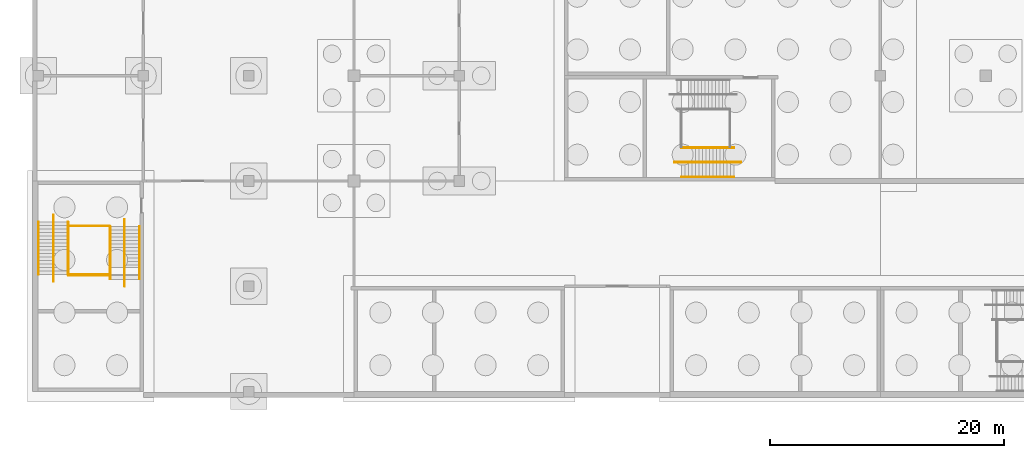
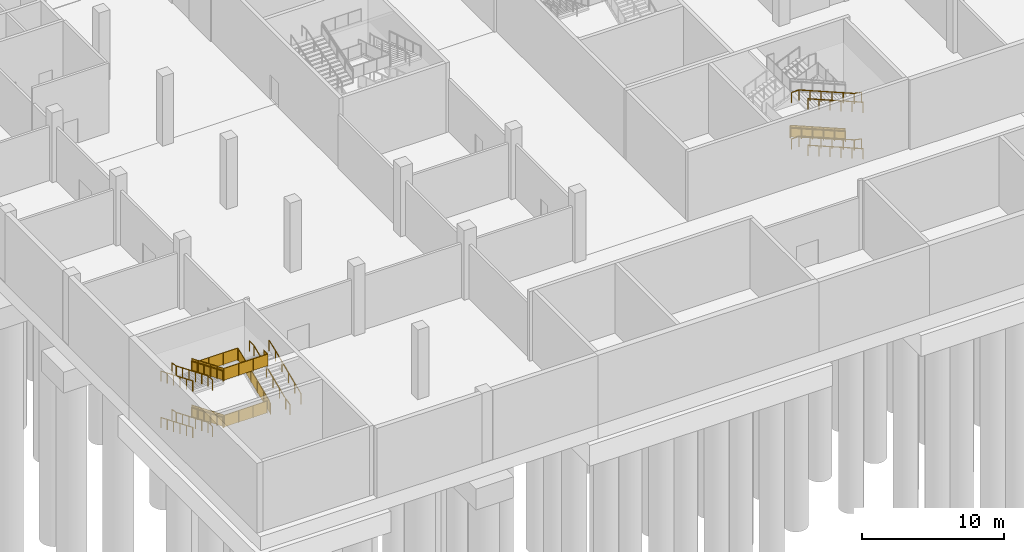
# One storey, part 26 of 42: 21 railings.
"""IFC4 building model written with IfcOpenShell, lengths in metres."""

from ifc_helpers import new_model, si_unit, direction, frame, origin, origin_2d, place, context, subcontext, project, spatial, polyline, circle, outline, extrude, material, type_object, element, save


model = new_model("IFC4")

# Units and contexts
model_context = context("Model", 3, precision=1e-05, world=origin(), true_north=direction((0.0, 1.0)))
body_context = subcontext(model_context, "Body", "Model", "MODEL_VIEW")
ifc_project = project(units=[si_unit("LENGTHUNIT", "METRE"), si_unit("AREAUNIT", "SQUARE_METRE"), si_unit("VOLUMEUNIT", "CUBIC_METRE"), si_unit("PLANEANGLEUNIT", "RADIAN"), si_unit("MASSUNIT", "GRAM", prefix="KILO")], contexts=[model_context])

# Site, building, storey
site_placement = place(None, origin())
site = spatial("IfcSite", under=ifc_project, at=site_placement, CompositionType="ELEMENT")
building_placement = place(site_placement, origin())
building = spatial("IfcBuilding", under=site, at=building_placement, Name="Silverbay Arena", CompositionType="ELEMENT")
storey_placement = place(building_placement, frame((0.0, 0.0, -6.0)))
storey = spatial("IfcBuildingStorey", under=building, at=storey_placement, Name="B1", CompositionType="ELEMENT", Elevation=-6.0)

# Railings
ifc_material_1 = material(Name="Stainless steel", Category="steel")
railing_type_1 = type_object("IfcRailingType", Name="Stair guard 1100", PredefinedType="GUARDRAIL", material=ifc_material_1)
railing_1_placement = place(storey_placement, frame((86.489990234375, 38.875, 0.125)))
element("IfcRailing", 1, at=railing_1_placement, inside=storey, type_object=railing_type_1, Name="Stair ST-SW1 B1 to L00 flight 1 guard left", PredefinedType="GUARDRAIL", context=body_context, shape_type="SweptSolid", body=[
    extrude(circle(Radius=0.02392578125, at=origin_2d()), frame((0.0, 0.0, 1.076171875), z_axis=(-0.923076923077, 0.0, 0.384615384615), x_axis=(0.0, -1.0, 0.0)), (0.0, 0.0, 1.0), 4.875),
    extrude(outline(polyline([(-0.008056640625, 0.046630859375), (0.907958984375, 0.42822265625), (0.907958984375, 1.431396484375), (-0.008056640625, 1.049560546875), (-0.008056640625, 0.046630859375)])), frame((0.0, -0.0029296875, 0.0), z_axis=(0.0, 1.0, 0.0), x_axis=(-1.0, 0.0, 0.0)), (0.0, 0.0, 1.0), 0.006103515625),
    extrude(outline(polyline([(-0.008056640625, 0.421630859375), (0.907958984375, 0.80322265625), (0.907958984375, 1.806396484375), (-0.008056640625, 1.424560546875), (-0.008056640625, 0.421630859375)])), frame((-0.89990234375, -0.0029296875, 0.0), z_axis=(0.0, 1.0, 0.0), x_axis=(-1.0, 0.0, 0.0)), (0.0, 0.0, 1.0), 0.006103515625),
    extrude(outline(polyline([(-0.008056640625, 0.796630859375), (0.907958984375, 1.17822265625), (0.907958984375, 2.181396484375), (-0.008056640625, 1.799560546875), (-0.008056640625, 0.796630859375)])), frame((-1.800048828125, -0.0029296875, 0.0), z_axis=(0.0, 1.0, 0.0), x_axis=(-1.0, 0.0, 0.0)), (0.0, 0.0, 1.0), 0.006103515625),
    extrude(outline(polyline([(-0.008056640625, 1.171630859375), (0.907958984375, 1.55322265625), (0.907958984375, 2.556396484375), (-0.008056640625, 2.174560546875), (-0.008056640625, 1.171630859375)])), frame((-2.699951171875, -0.0029296875, 0.0), z_axis=(0.0, 1.0, 0.0), x_axis=(-1.0, 0.0, 0.0)), (0.0, 0.0, 1.0), 0.006103515625),
    extrude(outline(polyline([(-0.008056640625, 1.546630859375), (0.907958984375, 1.92822265625), (0.907958984375, 2.931396484375), (-0.008056640625, 2.549560546875), (-0.008056640625, 1.546630859375)])), frame((-3.60009765625, -0.0029296875, 0.0), z_axis=(0.0, 1.0, 0.0), x_axis=(-1.0, 0.0, 0.0)), (0.0, 0.0, 1.0), 0.006103515625),
    extrude(circle(Radius=0.02099609375, at=origin_2d()), origin(), (0.0, 0.0, 1.0), 1.052001953125),
    extrude(circle(Radius=0.02099609375, at=origin_2d()), frame((-0.89990234375, 0.0, 0.375)), (0.0, 0.0, 1.0), 1.052001953125),
    extrude(circle(Radius=0.02099609375, at=origin_2d()), frame((-1.800048828125, 0.0, 0.75)), (0.0, 0.0, 1.0), 1.052001953125),
    extrude(circle(Radius=0.02099609375, at=origin_2d()), frame((-2.699951171875, 0.0, 1.125)), (0.0, 0.0, 1.0), 1.052001953125),
    extrude(circle(Radius=0.02099609375, at=origin_2d()), frame((-3.60009765625, 0.0, 1.5)), (0.0, 0.0, 1.0), 1.052001953125),
    extrude(circle(Radius=0.02099609375, at=origin_2d()), frame((-4.5, 0.0, 1.875)), (0.0, 0.0, 1.0), 1.052001953125),
])
railing_2_placement = place(storey_placement, frame((29.574951171875, 32.489990234375, 0.125)))
element("IfcRailing", 2, at=railing_2_placement, inside=storey, type_object=railing_type_1, Name="Stair ST-WG1 B1 to L00 flight 1 guard left", PredefinedType="GUARDRAIL", context=body_context, shape_type="SweptSolid", body=[
    extrude(circle(Radius=0.02392578125, at=origin_2d()), frame((0.0, 0.0, 1.076171875), z_axis=(0.0, -0.923076923077, 0.384615384615), x_axis=(1.0, 0.0, 0.0)), (0.0, 0.0, 1.0), 4.875),
    extrude(outline(polyline([(-0.008056640625, 0.046630859375), (0.907958984375, 0.42822265625), (0.907958984375, 1.431396484375), (-0.008056640625, 1.049560546875), (-0.008056640625, 0.046630859375)])), frame((0.0029296875, 0.0, 0.0), z_axis=(-1.0, 0.0, 0.0), x_axis=(0.0, -1.0, 0.0)), (0.0, 0.0, 1.0), 0.006103515625),
    extrude(outline(polyline([(-0.008056640625, 0.421630859375), (0.907958984375, 0.80322265625), (0.907958984375, 1.806396484375), (-0.008056640625, 1.424560546875), (-0.008056640625, 0.421630859375)])), frame((0.0029296875, -0.89990234375, 0.0), z_axis=(-1.0, 0.0, 0.0), x_axis=(0.0, -1.0, 0.0)), (0.0, 0.0, 1.0), 0.006103515625),
    extrude(outline(polyline([(-0.008056640625, 0.796630859375), (0.907958984375, 1.17822265625), (0.907958984375, 2.181396484375), (-0.008056640625, 1.799560546875), (-0.008056640625, 0.796630859375)])), frame((0.0029296875, -1.800048828125, 0.0), z_axis=(-1.0, 0.0, 0.0), x_axis=(0.0, -1.0, 0.0)), (0.0, 0.0, 1.0), 0.006103515625),
    extrude(outline(polyline([(-0.008056640625, 1.171630859375), (0.907958984375, 1.55322265625), (0.907958984375, 2.556396484375), (-0.008056640625, 2.174560546875), (-0.008056640625, 1.171630859375)])), frame((0.0029296875, -2.699951171875, 0.0), z_axis=(-1.0, 0.0, 0.0), x_axis=(0.0, -1.0, 0.0)), (0.0, 0.0, 1.0), 0.006103515625),
    extrude(outline(polyline([(-0.008056640625, 1.546630859375), (0.907958984375, 1.92822265625), (0.907958984375, 2.931396484375), (-0.008056640625, 2.549560546875), (-0.008056640625, 1.546630859375)])), frame((0.0029296875, -3.60009765625, 0.0), z_axis=(-1.0, 0.0, 0.0), x_axis=(0.0, -1.0, 0.0)), (0.0, 0.0, 1.0), 0.006103515625),
    extrude(circle(Radius=0.02099609375, at=origin_2d()), origin(), (0.0, 0.0, 1.0), 1.052001953125),
    extrude(circle(Radius=0.02099609375, at=origin_2d()), frame((0.0, -0.89990234375, 0.375)), (0.0, 0.0, 1.0), 1.052001953125),
    extrude(circle(Radius=0.02099609375, at=origin_2d()), frame((0.0, -1.800048828125, 0.75)), (0.0, 0.0, 1.0), 1.052001953125),
    extrude(circle(Radius=0.02099609375, at=origin_2d()), frame((0.0, -2.699951171875, 1.125)), (0.0, 0.0, 1.0), 1.052001953125),
    extrude(circle(Radius=0.02099609375, at=origin_2d()), frame((0.0, -3.60009765625, 1.5)), (0.0, 0.0, 1.0), 1.052001953125),
    extrude(circle(Radius=0.02099609375, at=origin_2d()), frame((0.0, -4.5, 1.875)), (0.0, 0.0, 1.0), 1.052001953125),
])
railing_3_placement = place(storey_placement, frame((33.125, 27.60009765625, 2.125)))
element("IfcRailing", 3, at=railing_3_placement, inside=storey, type_object=railing_type_1, Name="Stair ST-WG1 B1 to L00 flight 2 guard right", PredefinedType="GUARDRAIL", context=body_context, shape_type="SweptSolid", body=[
    extrude(circle(Radius=0.02392578125, at=origin_2d()), frame((0.0, 0.0, 1.076171875), z_axis=(0.0, 0.923076923077, 0.384615384615), x_axis=(-1.0, 0.0, 0.0)), (0.0, 0.0, 1.0), 4.875),
    extrude(outline(polyline([(-0.008056640625, 0.046630859375), (0.907958984375, 0.42822265625), (0.907958984375, 1.431396484375), (-0.008056640625, 1.049560546875), (-0.008056640625, 0.046630859375)])), frame((-0.0029296875, 0.0, 0.0), z_axis=(1.0, 0.0, 0.0), x_axis=(0.0, 1.0, 0.0)), (0.0, 0.0, 1.0), 0.006103515625),
    extrude(outline(polyline([(-0.008056640625, 0.421630859375), (0.907958984375, 0.80322265625), (0.907958984375, 1.806396484375), (-0.008056640625, 1.424560546875), (-0.008056640625, 0.421630859375)])), frame((-0.0029296875, 0.89990234375, 0.0), z_axis=(1.0, 0.0, 0.0), x_axis=(0.0, 1.0, 0.0)), (0.0, 0.0, 1.0), 0.006103515625),
    extrude(outline(polyline([(-0.008056640625, 0.796630859375), (0.907958984375, 1.17822265625), (0.907958984375, 2.181396484375), (-0.008056640625, 1.799560546875), (-0.008056640625, 0.796630859375)])), frame((-0.0029296875, 1.800048828125, 0.0), z_axis=(1.0, 0.0, 0.0), x_axis=(0.0, 1.0, 0.0)), (0.0, 0.0, 1.0), 0.006103515625),
    extrude(outline(polyline([(-0.008056640625, 1.171630859375), (0.907958984375, 1.55322265625), (0.907958984375, 2.556396484375), (-0.008056640625, 2.174560546875), (-0.008056640625, 1.171630859375)])), frame((-0.0029296875, 2.699951171875, 0.0), z_axis=(1.0, 0.0, 0.0), x_axis=(0.0, 1.0, 0.0)), (0.0, 0.0, 1.0), 0.006103515625),
    extrude(outline(polyline([(-0.008056640625, 1.546630859375), (0.907958984375, 1.92822265625), (0.907958984375, 2.931396484375), (-0.008056640625, 2.549560546875), (-0.008056640625, 1.546630859375)])), frame((-0.0029296875, 3.60009765625, 0.0), z_axis=(1.0, 0.0, 0.0), x_axis=(0.0, 1.0, 0.0)), (0.0, 0.0, 1.0), 0.006103515625),
    extrude(circle(Radius=0.02099609375, at=origin_2d()), origin(), (0.0, 0.0, 1.0), 1.052001953125),
    extrude(circle(Radius=0.02099609375, at=origin_2d()), frame((0.0, 0.89990234375, 0.375)), (0.0, 0.0, 1.0), 1.052001953125),
    extrude(circle(Radius=0.02099609375, at=origin_2d()), frame((0.0, 1.800048828125, 0.75)), (0.0, 0.0, 1.0), 1.052001953125),
    extrude(circle(Radius=0.02099609375, at=origin_2d()), frame((0.0, 2.699951171875, 1.125)), (0.0, 0.0, 1.0), 1.052001953125),
    extrude(circle(Radius=0.02099609375, at=origin_2d()), frame((0.0, 3.60009765625, 1.5)), (0.0, 0.0, 1.0), 1.052001953125),
    extrude(circle(Radius=0.02099609375, at=origin_2d()), frame((0.0, 4.5, 1.875)), (0.0, 0.0, 1.0), 1.052001953125),
])
railing_4_placement = place(storey_placement, frame((29.574951171875, 32.489990234375, 4.125)))
element("IfcRailing", 4, at=railing_4_placement, inside=storey, type_object=railing_type_1, Name="Stair ST-WG1 B1 to L00 flight 3 guard left", PredefinedType="GUARDRAIL", context=body_context, shape_type="SweptSolid", body=[
    extrude(circle(Radius=0.02392578125, at=origin_2d()), frame((0.0, 0.0, 1.076171875), z_axis=(0.0, -0.923076923077, 0.384615384615), x_axis=(1.0, 0.0, 0.0)), (0.0, 0.0, 1.0), 4.875),
    extrude(outline(polyline([(-0.008056640625, 0.046630859375), (0.907958984375, 0.42822265625), (0.907958984375, 1.431396484375), (-0.008056640625, 1.049560546875), (-0.008056640625, 0.046630859375)])), frame((0.0029296875, 0.0, 0.0), z_axis=(-1.0, 0.0, 0.0), x_axis=(0.0, -1.0, 0.0)), (0.0, 0.0, 1.0), 0.006103515625),
    extrude(outline(polyline([(-0.008056640625, 0.421630859375), (0.907958984375, 0.80322265625), (0.907958984375, 1.806396484375), (-0.008056640625, 1.424560546875), (-0.008056640625, 0.421630859375)])), frame((0.0029296875, -0.89990234375, 0.0), z_axis=(-1.0, 0.0, 0.0), x_axis=(0.0, -1.0, 0.0)), (0.0, 0.0, 1.0), 0.006103515625),
    extrude(outline(polyline([(-0.008056640625, 0.796630859375), (0.907958984375, 1.17822265625), (0.907958984375, 2.181396484375), (-0.008056640625, 1.799560546875), (-0.008056640625, 0.796630859375)])), frame((0.0029296875, -1.800048828125, 0.0), z_axis=(-1.0, 0.0, 0.0), x_axis=(0.0, -1.0, 0.0)), (0.0, 0.0, 1.0), 0.006103515625),
    extrude(outline(polyline([(-0.008056640625, 1.171630859375), (0.907958984375, 1.55322265625), (0.907958984375, 2.556396484375), (-0.008056640625, 2.174560546875), (-0.008056640625, 1.171630859375)])), frame((0.0029296875, -2.699951171875, 0.0), z_axis=(-1.0, 0.0, 0.0), x_axis=(0.0, -1.0, 0.0)), (0.0, 0.0, 1.0), 0.006103515625),
    extrude(outline(polyline([(-0.008056640625, 1.546630859375), (0.907958984375, 1.92822265625), (0.907958984375, 2.931396484375), (-0.008056640625, 2.549560546875), (-0.008056640625, 1.546630859375)])), frame((0.0029296875, -3.60009765625, 0.0), z_axis=(-1.0, 0.0, 0.0), x_axis=(0.0, -1.0, 0.0)), (0.0, 0.0, 1.0), 0.006103515625),
    extrude(circle(Radius=0.02099609375, at=origin_2d()), origin(), (0.0, 0.0, 1.0), 1.052001953125),
    extrude(circle(Radius=0.02099609375, at=origin_2d()), frame((0.0, -0.89990234375, 0.375)), (0.0, 0.0, 1.0), 1.052001953125),
    extrude(circle(Radius=0.02099609375, at=origin_2d()), frame((0.0, -1.800048828125, 0.75)), (0.0, 0.0, 1.0), 1.052001953125),
    extrude(circle(Radius=0.02099609375, at=origin_2d()), frame((0.0, -2.699951171875, 1.125)), (0.0, 0.0, 1.0), 1.052001953125),
    extrude(circle(Radius=0.02099609375, at=origin_2d()), frame((0.0, -3.60009765625, 1.5)), (0.0, 0.0, 1.0), 1.052001953125),
    extrude(circle(Radius=0.02099609375, at=origin_2d()), frame((0.0, -4.5, 1.875)), (0.0, 0.0, 1.0), 1.052001953125),
])
for number, where, name in (
    (5, (33.10009765625, 27.93994140625, 2.0), "Stair ST-WG1 B1 to L00 landing 1 guard"),
    (6, (33.10009765625, 32.14990234375, 4.0), "Stair ST-WG1 B1 to L00 landing 2 guard"),
):
    element("IfcRailing", number, at=place(storey_placement, frame(where)), inside=storey, type_object=railing_type_1, Name=name, PredefinedType="GUARDRAIL", context=body_context, shape_type="SweptSolid", body=[
        extrude(circle(Radius=0.02392578125, at=origin_2d()), frame((0.0, 0.0, 1.076171875), z_axis=(-1.0, 0.0, 0.0), x_axis=(0.0, -1.0, 0.0)), (0.0, 0.0, 1.0), 3.5),
        extrude(outline(polyline([(-0.008056640625, 0.050048828125), (1.174560546875, 0.050048828125), (1.174560546875, 1.052978515625), (-0.008056640625, 1.052978515625), (-0.008056640625, 0.050048828125)])), frame((0.0, -0.0029296875, 0.0), z_axis=(0.0, 1.0, 0.0), x_axis=(-1.0, 0.0, 0.0)), (0.0, 0.0, 1.0), 0.006103515625),
        extrude(outline(polyline([(-0.008056640625, 0.050048828125), (1.174560546875, 0.050048828125), (1.174560546875, 1.052978515625), (-0.008056640625, 1.052978515625), (-0.008056640625, 0.050048828125)])), frame((-1.166748046875, -0.0029296875, 0.0), z_axis=(0.0, 1.0, 0.0), x_axis=(-1.0, 0.0, 0.0)), (0.0, 0.0, 1.0), 0.006103515625),
        extrude(outline(polyline([(-0.008056640625, 0.050048828125), (1.174560546875, 0.050048828125), (1.174560546875, 1.052978515625), (-0.008056640625, 1.052978515625), (-0.008056640625, 0.050048828125)])), frame((-2.333251953125, -0.0029296875, 0.0), z_axis=(0.0, 1.0, 0.0), x_axis=(-1.0, 0.0, 0.0)), (0.0, 0.0, 1.0), 0.006103515625),
        extrude(circle(Radius=0.02099609375, at=origin_2d()), origin(), (0.0, 0.0, 1.0), 1.052001953125),
        extrude(circle(Radius=0.02099609375, at=origin_2d()), frame((-1.166748046875, 0.0, 0.0)), (0.0, 0.0, 1.0), 1.052001953125),
        extrude(circle(Radius=0.02099609375, at=origin_2d()), frame((-2.333251953125, 0.0, 0.0)), (0.0, 0.0, 1.0), 1.052001953125),
        extrude(circle(Radius=0.02099609375, at=origin_2d()), frame((-3.5, 0.0, 0.0)), (0.0, 0.0, 1.0), 1.052001953125),
    ])
railing_5_placement = place(storey_placement, frame((33.14990234375, 28.550048828125, 6.0)))
element("IfcRailing", 7, at=railing_5_placement, inside=storey, type_object=railing_type_1, Name="Stair ST-WG1 B1 to L00 landing 3 guard", PredefinedType="GUARDRAIL", context=body_context, shape_type="SweptSolid", body=[
    extrude(circle(Radius=0.02392578125, at=origin_2d()), frame((0.0, 0.0, 1.076171875), z_axis=(0.0, -1.0, 0.0), x_axis=(1.0, 0.0, 0.0)), (0.0, 0.0, 1.0), 0.56005859375),
    extrude(outline(polyline([(-0.008056640625, 0.050048828125), (0.568115234375, 0.050048828125), (0.568115234375, 1.052978515625), (-0.008056640625, 1.052978515625), (-0.008056640625, 0.050048828125)])), frame((0.0029296875, 0.0, 0.0), z_axis=(-1.0, 0.0, 0.0), x_axis=(0.0, -1.0, 0.0)), (0.0, 0.0, 1.0), 0.006103515625),
    extrude(circle(Radius=0.02392578125, at=origin_2d()), frame((0.0, -0.56005859375, 1.076171875), z_axis=(-1.0, 0.0, 0.0), x_axis=(0.0, -1.0, 0.0)), (0.0, 0.0, 1.0), 3.5498046875),
    extrude(outline(polyline([(-0.008056640625, 0.050048828125), (1.191162109375, 0.050048828125), (1.191162109375, 1.052978515625), (-0.008056640625, 1.052978515625), (-0.008056640625, 0.050048828125)])), frame((0.0, -0.56298828125, 0.0), z_axis=(0.0, 1.0, 0.0), x_axis=(-1.0, 0.0, 0.0)), (0.0, 0.0, 1.0), 0.006103515625),
    extrude(outline(polyline([(-0.008056640625, 0.050048828125), (1.191162109375, 0.050048828125), (1.191162109375, 1.052978515625), (-0.008056640625, 1.052978515625), (-0.008056640625, 0.050048828125)])), frame((-1.183349609375, -0.56298828125, 0.0), z_axis=(0.0, 1.0, 0.0), x_axis=(-1.0, 0.0, 0.0)), (0.0, 0.0, 1.0), 0.006103515625),
    extrude(outline(polyline([(-0.008056640625, 0.050048828125), (1.191162109375, 0.050048828125), (1.191162109375, 1.052978515625), (-0.008056640625, 1.052978515625), (-0.008056640625, 0.050048828125)])), frame((-2.366455078125, -0.56298828125, 0.0), z_axis=(0.0, 1.0, 0.0), x_axis=(-1.0, 0.0, 0.0)), (0.0, 0.0, 1.0), 0.006103515625),
    extrude(circle(Radius=0.02099609375, at=origin_2d()), origin(), (0.0, 0.0, 1.0), 1.052001953125),
    extrude(circle(Radius=0.02099609375, at=origin_2d()), frame((0.0, -0.56005859375, 0.0)), (0.0, 0.0, 1.0), 1.052001953125),
    extrude(circle(Radius=0.02099609375, at=origin_2d()), frame((-1.183349609375, -0.56005859375, 0.0)), (0.0, 0.0, 1.0), 1.052001953125),
    extrude(circle(Radius=0.02099609375, at=origin_2d()), frame((-2.366455078125, -0.56005859375, 0.0)), (0.0, 0.0, 1.0), 1.052001953125),
    extrude(circle(Radius=0.02099609375, at=origin_2d()), frame((-3.5498046875, -0.56005859375, 0.0)), (0.0, 0.0, 1.0), 1.052001953125),
])
ifc_material_2 = material(Name="Stainless steel", Category="steel")
railing_type_2 = type_object("IfcRailingType", Name="Stair handrail 900", PredefinedType="HANDRAIL", material=ifc_material_2)
for number, where, name in (
    (8, (86.489990234375, 38.8359375, 0.125), "Stair ST-SW1 B1 to L00 flight 1 handrail left"),
    (9, (86.489990234375, 36.35009765625, 0.125), "Stair ST-SW1 B1 to L00 flight 1 handrail right"),
):
    element("IfcRailing", number, at=place(storey_placement, frame(where)), inside=storey, type_object=railing_type_2, Name=name, PredefinedType="HANDRAIL", context=body_context, shape_type="SweptSolid", body=[
        extrude(circle(Radius=0.02392578125, at=origin_2d()), frame((0.0, 0.0, 0.8759765625), z_axis=(-0.923076923077, 0.0, 0.384615384615), x_axis=(0.0, -1.0, 0.0)), (0.0, 0.0, 1.0), 4.875),
        extrude(circle(Radius=0.02099609375, at=origin_2d()), origin(), (0.0, 0.0, 1.0), 0.851806640625),
        extrude(circle(Radius=0.02099609375, at=origin_2d()), frame((-0.89990234375, 0.0, 0.375)), (0.0, 0.0, 1.0), 0.851806640625),
        extrude(circle(Radius=0.02099609375, at=origin_2d()), frame((-1.800048828125, 0.0, 0.75)), (0.0, 0.0, 1.0), 0.851806640625),
        extrude(circle(Radius=0.02099609375, at=origin_2d()), frame((-2.699951171875, 0.0, 1.125)), (0.0, 0.0, 1.0), 0.851806640625),
        extrude(circle(Radius=0.02099609375, at=origin_2d()), frame((-3.60009765625, 0.0, 1.5)), (0.0, 0.0, 1.0), 0.851806640625),
        extrude(circle(Radius=0.02099609375, at=origin_2d()), frame((-4.5, 0.0, 1.875)), (0.0, 0.0, 1.0), 0.851806640625),
    ])
railing_6_placement = place(storey_placement, frame((87.090087890625, 37.60009765625, 0.0)))
element("IfcRailing", 10, at=railing_6_placement, inside=storey, type_object=railing_type_2, Name="Stair ST-SW1 B1 to L00 flight 1 central handrail", PredefinedType="HANDRAIL", context=body_context, shape_type="SweptSolid", body=[
    extrude(circle(Radius=0.02392578125, at=origin_2d()), frame((0.0, 0.0, 0.8759765625), z_axis=(-0.978987046276, 0.0, 0.203922444139), x_axis=(0.0, -1.0, 0.0)), (0.0, 0.0, 1.0), 0.613037109375),
    extrude(circle(Radius=0.02392578125, at=origin_2d()), frame((-0.60009765625, 0.0, 1.0009765625), z_axis=(-0.923076923077, 0.0, 0.384615384615), x_axis=(0.0, -1.0, 0.0)), (0.0, 0.0, 1.0), 4.875),
    extrude(circle(Radius=0.02392578125, at=origin_2d()), frame((-5.10009765625, 0.0, 2.8759765625), z_axis=(-1.0, 0.0, 0.0), x_axis=(0.0, -1.0, 0.0)), (0.0, 0.0, 1.0), 0.60009765625),
    extrude(circle(Radius=0.02099609375, at=origin_2d()), origin(), (0.0, 0.0, 1.0), 0.851806640625),
    extrude(circle(Radius=0.02099609375, at=origin_2d()), frame((-0.60009765625, 0.0, 0.125)), (0.0, 0.0, 1.0), 0.851806640625),
    extrude(circle(Radius=0.02099609375, at=origin_2d()), frame((-1.5, 0.0, 0.5)), (0.0, 0.0, 1.0), 0.851806640625),
    extrude(circle(Radius=0.02099609375, at=origin_2d()), frame((-2.400146484375, 0.0, 0.875)), (0.0, 0.0, 1.0), 0.851806640625),
    extrude(circle(Radius=0.02099609375, at=origin_2d()), frame((-3.300048828125, 0.0, 1.25)), (0.0, 0.0, 1.0), 0.851806640625),
    extrude(circle(Radius=0.02099609375, at=origin_2d()), frame((-4.2001953125, 0.0, 1.625)), (0.0, 0.0, 1.0), 0.851806640625),
    extrude(circle(Radius=0.02099609375, at=origin_2d()), frame((-5.10009765625, 0.0, 2.0)), (0.0, 0.0, 1.0), 0.851806640625),
    extrude(circle(Radius=0.02099609375, at=origin_2d()), frame((-5.7001953125, 0.0, 2.0)), (0.0, 0.0, 1.0), 0.851806640625),
])
railing_7_placement = place(storey_placement, frame((86.489990234375, 36.35009765625, 4.125)))
element("IfcRailing", 11, at=railing_7_placement, inside=storey, type_object=railing_type_2, Name="Stair ST-SW1 B1 to L00 flight 3 handrail right", PredefinedType="HANDRAIL", context=body_context, shape_type="SweptSolid", body=[
    extrude(circle(Radius=0.02392578125, at=origin_2d()), frame((0.0, 0.0, 0.8759765625), z_axis=(-0.923076923077, 0.0, 0.384615384615), x_axis=(0.0, -1.0, 0.0)), (0.0, 0.0, 1.0), 4.875),
    extrude(circle(Radius=0.02099609375, at=origin_2d()), origin(), (0.0, 0.0, 1.0), 0.851806640625),
    extrude(circle(Radius=0.02099609375, at=origin_2d()), frame((-0.89990234375, 0.0, 0.375)), (0.0, 0.0, 1.0), 0.851806640625),
    extrude(circle(Radius=0.02099609375, at=origin_2d()), frame((-1.800048828125, 0.0, 0.75)), (0.0, 0.0, 1.0), 0.851806640625),
    extrude(circle(Radius=0.02099609375, at=origin_2d()), frame((-2.699951171875, 0.0, 1.125)), (0.0, 0.0, 1.0), 0.851806640625),
    extrude(circle(Radius=0.02099609375, at=origin_2d()), frame((-3.60009765625, 0.0, 1.5)), (0.0, 0.0, 1.0), 0.851806640625),
    extrude(circle(Radius=0.02099609375, at=origin_2d()), frame((-4.5, 0.0, 1.875)), (0.0, 0.0, 1.0), 0.851806640625),
])
railing_8_placement = place(storey_placement, frame((87.090087890625, 37.60009765625, 4.0)))
element("IfcRailing", 12, at=railing_8_placement, inside=storey, type_object=railing_type_2, Name="Stair ST-SW1 B1 to L00 flight 3 central handrail", PredefinedType="HANDRAIL", context=body_context, shape_type="SweptSolid", body=[
    extrude(circle(Radius=0.02392578125, at=origin_2d()), frame((0.0, 0.0, 0.8759765625), z_axis=(-0.978987046276, 0.0, 0.203922444139), x_axis=(0.0, -1.0, 0.0)), (0.0, 0.0, 1.0), 0.613037109375),
    extrude(circle(Radius=0.02392578125, at=origin_2d()), frame((-0.60009765625, 0.0, 1.0009765625), z_axis=(-0.923076923077, 0.0, 0.384615384615), x_axis=(0.0, -1.0, 0.0)), (0.0, 0.0, 1.0), 4.875),
    extrude(circle(Radius=0.02392578125, at=origin_2d()), frame((-5.10009765625, 0.0, 2.8759765625), z_axis=(-1.0, 0.0, 0.0), x_axis=(0.0, -1.0, 0.0)), (0.0, 0.0, 1.0), 0.60009765625),
    extrude(circle(Radius=0.02099609375, at=origin_2d()), origin(), (0.0, 0.0, 1.0), 0.851806640625),
    extrude(circle(Radius=0.02099609375, at=origin_2d()), frame((-0.60009765625, 0.0, 0.125)), (0.0, 0.0, 1.0), 0.851806640625),
    extrude(circle(Radius=0.02099609375, at=origin_2d()), frame((-1.5, 0.0, 0.5)), (0.0, 0.0, 1.0), 0.851806640625),
    extrude(circle(Radius=0.02099609375, at=origin_2d()), frame((-2.400146484375, 0.0, 0.875)), (0.0, 0.0, 1.0), 0.851806640625),
    extrude(circle(Radius=0.02099609375, at=origin_2d()), frame((-3.300048828125, 0.0, 1.25)), (0.0, 0.0, 1.0), 0.851806640625),
    extrude(circle(Radius=0.02099609375, at=origin_2d()), frame((-4.2001953125, 0.0, 1.625)), (0.0, 0.0, 1.0), 0.851806640625),
    extrude(circle(Radius=0.02099609375, at=origin_2d()), frame((-5.10009765625, 0.0, 2.0)), (0.0, 0.0, 1.0), 0.851806640625),
    extrude(circle(Radius=0.02099609375, at=origin_2d()), frame((-5.7001953125, 0.0, 2.0)), (0.0, 0.0, 1.0), 0.851806640625),
])
for number, where, name in (
    (13, (29.535888671875, 32.489990234375, 0.125), "Stair ST-WG1 B1 to L00 flight 1 handrail left"),
    (14, (27.050048828125, 32.489990234375, 0.125), "Stair ST-WG1 B1 to L00 flight 1 handrail right"),
):
    element("IfcRailing", number, at=place(storey_placement, frame(where)), inside=storey, type_object=railing_type_2, Name=name, PredefinedType="HANDRAIL", context=body_context, shape_type="SweptSolid", body=[
        extrude(circle(Radius=0.02392578125, at=origin_2d()), frame((0.0, 0.0, 0.8759765625), z_axis=(0.0, -0.923076923077, 0.384615384615), x_axis=(1.0, 0.0, 0.0)), (0.0, 0.0, 1.0), 4.875),
        extrude(circle(Radius=0.02099609375, at=origin_2d()), origin(), (0.0, 0.0, 1.0), 0.851806640625),
        extrude(circle(Radius=0.02099609375, at=origin_2d()), frame((0.0, -0.89990234375, 0.375)), (0.0, 0.0, 1.0), 0.851806640625),
        extrude(circle(Radius=0.02099609375, at=origin_2d()), frame((0.0, -1.800048828125, 0.75)), (0.0, 0.0, 1.0), 0.851806640625),
        extrude(circle(Radius=0.02099609375, at=origin_2d()), frame((0.0, -2.699951171875, 1.125)), (0.0, 0.0, 1.0), 0.851806640625),
        extrude(circle(Radius=0.02099609375, at=origin_2d()), frame((0.0, -3.60009765625, 1.5)), (0.0, 0.0, 1.0), 0.851806640625),
        extrude(circle(Radius=0.02099609375, at=origin_2d()), frame((0.0, -4.5, 1.875)), (0.0, 0.0, 1.0), 0.851806640625),
    ])
railing_9_placement = place(storey_placement, frame((28.300048828125, 33.090087890625, 0.0)))
element("IfcRailing", 15, at=railing_9_placement, inside=storey, type_object=railing_type_2, Name="Stair ST-WG1 B1 to L00 flight 1 central handrail", PredefinedType="HANDRAIL", context=body_context, shape_type="SweptSolid", body=[
    extrude(circle(Radius=0.02392578125, at=origin_2d()), frame((0.0, 0.0, 0.8759765625), z_axis=(0.0, -0.978987046276, 0.203922444139), x_axis=(1.0, 0.0, 0.0)), (0.0, 0.0, 1.0), 0.613037109375),
    extrude(circle(Radius=0.02392578125, at=origin_2d()), frame((0.0, -0.60009765625, 1.0009765625), z_axis=(0.0, -0.923076923077, 0.384615384615), x_axis=(1.0, 0.0, 0.0)), (0.0, 0.0, 1.0), 4.875),
    extrude(circle(Radius=0.02392578125, at=origin_2d()), frame((0.0, -5.10009765625, 2.8759765625), z_axis=(0.0, -1.0, 0.0), x_axis=(1.0, 0.0, 0.0)), (0.0, 0.0, 1.0), 0.60009765625),
    extrude(circle(Radius=0.02099609375, at=origin_2d()), origin(), (0.0, 0.0, 1.0), 0.851806640625),
    extrude(circle(Radius=0.02099609375, at=origin_2d()), frame((0.0, -0.60009765625, 0.125)), (0.0, 0.0, 1.0), 0.851806640625),
    extrude(circle(Radius=0.02099609375, at=origin_2d()), frame((0.0, -1.5, 0.5)), (0.0, 0.0, 1.0), 0.851806640625),
    extrude(circle(Radius=0.02099609375, at=origin_2d()), frame((0.0, -2.400146484375, 0.875)), (0.0, 0.0, 1.0), 0.851806640625),
    extrude(circle(Radius=0.02099609375, at=origin_2d()), frame((0.0, -3.300048828125, 1.25)), (0.0, 0.0, 1.0), 0.851806640625),
    extrude(circle(Radius=0.02099609375, at=origin_2d()), frame((0.0, -4.2001953125, 1.625)), (0.0, 0.0, 1.0), 0.851806640625),
    extrude(circle(Radius=0.02099609375, at=origin_2d()), frame((0.0, -5.10009765625, 2.0)), (0.0, 0.0, 1.0), 0.851806640625),
    extrude(circle(Radius=0.02099609375, at=origin_2d()), frame((0.0, -5.7001953125, 2.0)), (0.0, 0.0, 1.0), 0.851806640625),
])
for number, where, name in (
    (16, (35.64990234375, 27.60009765625, 2.125), "Stair ST-WG1 B1 to L00 flight 2 handrail left"),
    (17, (33.1640625, 27.60009765625, 2.125), "Stair ST-WG1 B1 to L00 flight 2 handrail right"),
):
    element("IfcRailing", number, at=place(storey_placement, frame(where)), inside=storey, type_object=railing_type_2, Name=name, PredefinedType="HANDRAIL", context=body_context, shape_type="SweptSolid", body=[
        extrude(circle(Radius=0.02392578125, at=origin_2d()), frame((0.0, 0.0, 0.8759765625), z_axis=(0.0, 0.923076923077, 0.384615384615), x_axis=(-1.0, 0.0, 0.0)), (0.0, 0.0, 1.0), 4.875),
        extrude(circle(Radius=0.02099609375, at=origin_2d()), origin(), (0.0, 0.0, 1.0), 0.851806640625),
        extrude(circle(Radius=0.02099609375, at=origin_2d()), frame((0.0, 0.89990234375, 0.375)), (0.0, 0.0, 1.0), 0.851806640625),
        extrude(circle(Radius=0.02099609375, at=origin_2d()), frame((0.0, 1.800048828125, 0.75)), (0.0, 0.0, 1.0), 0.851806640625),
        extrude(circle(Radius=0.02099609375, at=origin_2d()), frame((0.0, 2.699951171875, 1.125)), (0.0, 0.0, 1.0), 0.851806640625),
        extrude(circle(Radius=0.02099609375, at=origin_2d()), frame((0.0, 3.60009765625, 1.5)), (0.0, 0.0, 1.0), 0.851806640625),
        extrude(circle(Radius=0.02099609375, at=origin_2d()), frame((0.0, 4.5, 1.875)), (0.0, 0.0, 1.0), 0.851806640625),
    ])
railing_10_placement = place(storey_placement, frame((34.39990234375, 27.0, 2.0)))
element("IfcRailing", 18, at=railing_10_placement, inside=storey, type_object=railing_type_2, Name="Stair ST-WG1 B1 to L00 flight 2 central handrail", PredefinedType="HANDRAIL", context=body_context, shape_type="SweptSolid", body=[
    extrude(circle(Radius=0.02392578125, at=origin_2d()), frame((0.0, 0.0, 0.8759765625), z_axis=(0.0, 0.978987046276, 0.203922444139), x_axis=(-1.0, 0.0, 0.0)), (0.0, 0.0, 1.0), 0.613037109375),
    extrude(circle(Radius=0.02392578125, at=origin_2d()), frame((0.0, 0.60009765625, 1.0009765625), z_axis=(0.0, 0.923076923077, 0.384615384615), x_axis=(-1.0, 0.0, 0.0)), (0.0, 0.0, 1.0), 4.875),
    extrude(circle(Radius=0.02392578125, at=origin_2d()), frame((0.0, 5.10009765625, 2.8759765625), z_axis=(0.0, 1.0, 0.0), x_axis=(-1.0, 0.0, 0.0)), (0.0, 0.0, 1.0), 0.599853515625),
    extrude(circle(Radius=0.02099609375, at=origin_2d()), origin(), (0.0, 0.0, 1.0), 0.851806640625),
    extrude(circle(Radius=0.02099609375, at=origin_2d()), frame((0.0, 0.60009765625, 0.125)), (0.0, 0.0, 1.0), 0.851806640625),
    extrude(circle(Radius=0.02099609375, at=origin_2d()), frame((0.0, 1.5, 0.5)), (0.0, 0.0, 1.0), 0.851806640625),
    extrude(circle(Radius=0.02099609375, at=origin_2d()), frame((0.0, 2.400146484375, 0.875)), (0.0, 0.0, 1.0), 0.851806640625),
    extrude(circle(Radius=0.02099609375, at=origin_2d()), frame((0.0, 3.300048828125, 1.25)), (0.0, 0.0, 1.0), 0.851806640625),
    extrude(circle(Radius=0.02099609375, at=origin_2d()), frame((0.0, 4.2001953125, 1.625)), (0.0, 0.0, 1.0), 0.851806640625),
    extrude(circle(Radius=0.02099609375, at=origin_2d()), frame((0.0, 5.10009765625, 2.0)), (0.0, 0.0, 1.0), 0.851806640625),
    extrude(circle(Radius=0.02099609375, at=origin_2d()), frame((0.0, 5.699951171875, 2.0)), (0.0, 0.0, 1.0), 0.851806640625),
])
for number, where, name in (
    (19, (29.535888671875, 32.489990234375, 4.125), "Stair ST-WG1 B1 to L00 flight 3 handrail left"),
    (20, (27.050048828125, 32.489990234375, 4.125), "Stair ST-WG1 B1 to L00 flight 3 handrail right"),
):
    element("IfcRailing", number, at=place(storey_placement, frame(where)), inside=storey, type_object=railing_type_2, Name=name, PredefinedType="HANDRAIL", context=body_context, shape_type="SweptSolid", body=[
        extrude(circle(Radius=0.02392578125, at=origin_2d()), frame((0.0, 0.0, 0.8759765625), z_axis=(0.0, -0.923076923077, 0.384615384615), x_axis=(1.0, 0.0, 0.0)), (0.0, 0.0, 1.0), 4.875),
        extrude(circle(Radius=0.02099609375, at=origin_2d()), origin(), (0.0, 0.0, 1.0), 0.851806640625),
        extrude(circle(Radius=0.02099609375, at=origin_2d()), frame((0.0, -0.89990234375, 0.375)), (0.0, 0.0, 1.0), 0.851806640625),
        extrude(circle(Radius=0.02099609375, at=origin_2d()), frame((0.0, -1.800048828125, 0.75)), (0.0, 0.0, 1.0), 0.851806640625),
        extrude(circle(Radius=0.02099609375, at=origin_2d()), frame((0.0, -2.699951171875, 1.125)), (0.0, 0.0, 1.0), 0.851806640625),
        extrude(circle(Radius=0.02099609375, at=origin_2d()), frame((0.0, -3.60009765625, 1.5)), (0.0, 0.0, 1.0), 0.851806640625),
        extrude(circle(Radius=0.02099609375, at=origin_2d()), frame((0.0, -4.5, 1.875)), (0.0, 0.0, 1.0), 0.851806640625),
    ])
railing_11_placement = place(storey_placement, frame((28.300048828125, 33.090087890625, 4.0)))
element("IfcRailing", 21, at=railing_11_placement, inside=storey, type_object=railing_type_2, Name="Stair ST-WG1 B1 to L00 flight 3 central handrail", PredefinedType="HANDRAIL", context=body_context, shape_type="SweptSolid", body=[
    extrude(circle(Radius=0.02392578125, at=origin_2d()), frame((0.0, 0.0, 0.8759765625), z_axis=(0.0, -0.978987046276, 0.203922444139), x_axis=(1.0, 0.0, 0.0)), (0.0, 0.0, 1.0), 0.613037109375),
    extrude(circle(Radius=0.02392578125, at=origin_2d()), frame((0.0, -0.60009765625, 1.0009765625), z_axis=(0.0, -0.923076923077, 0.384615384615), x_axis=(1.0, 0.0, 0.0)), (0.0, 0.0, 1.0), 4.875),
    extrude(circle(Radius=0.02392578125, at=origin_2d()), frame((0.0, -5.10009765625, 2.8759765625), z_axis=(0.0, -1.0, 0.0), x_axis=(1.0, 0.0, 0.0)), (0.0, 0.0, 1.0), 0.60009765625),
    extrude(circle(Radius=0.02099609375, at=origin_2d()), origin(), (0.0, 0.0, 1.0), 0.851806640625),
    extrude(circle(Radius=0.02099609375, at=origin_2d()), frame((0.0, -0.60009765625, 0.125)), (0.0, 0.0, 1.0), 0.851806640625),
    extrude(circle(Radius=0.02099609375, at=origin_2d()), frame((0.0, -1.5, 0.5)), (0.0, 0.0, 1.0), 0.851806640625),
    extrude(circle(Radius=0.02099609375, at=origin_2d()), frame((0.0, -2.400146484375, 0.875)), (0.0, 0.0, 1.0), 0.851806640625),
    extrude(circle(Radius=0.02099609375, at=origin_2d()), frame((0.0, -3.300048828125, 1.25)), (0.0, 0.0, 1.0), 0.851806640625),
    extrude(circle(Radius=0.02099609375, at=origin_2d()), frame((0.0, -4.2001953125, 1.625)), (0.0, 0.0, 1.0), 0.851806640625),
    extrude(circle(Radius=0.02099609375, at=origin_2d()), frame((0.0, -5.10009765625, 2.0)), (0.0, 0.0, 1.0), 0.851806640625),
    extrude(circle(Radius=0.02099609375, at=origin_2d()), frame((0.0, -5.7001953125, 2.0)), (0.0, 0.0, 1.0), 0.851806640625),
])

save(model, "model.ifc")
